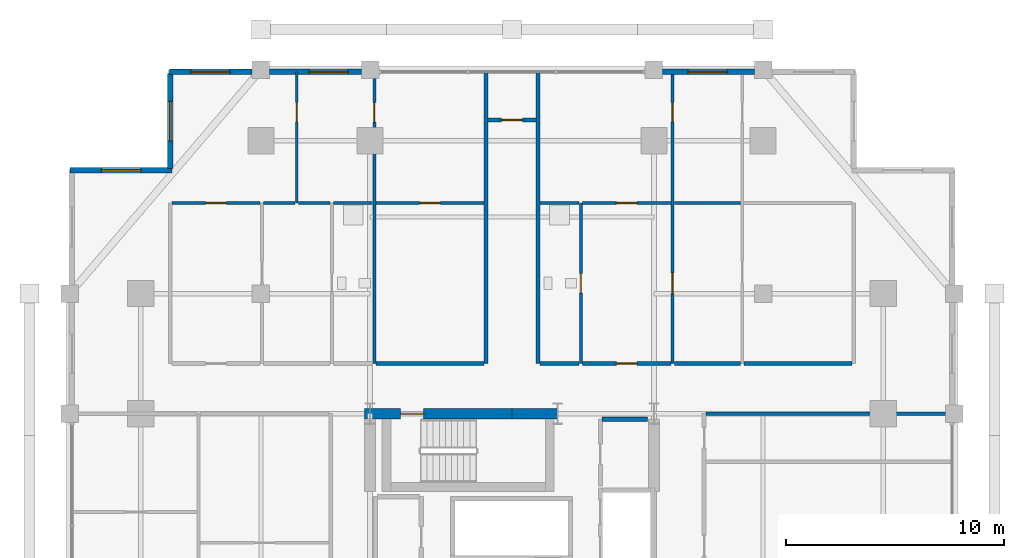
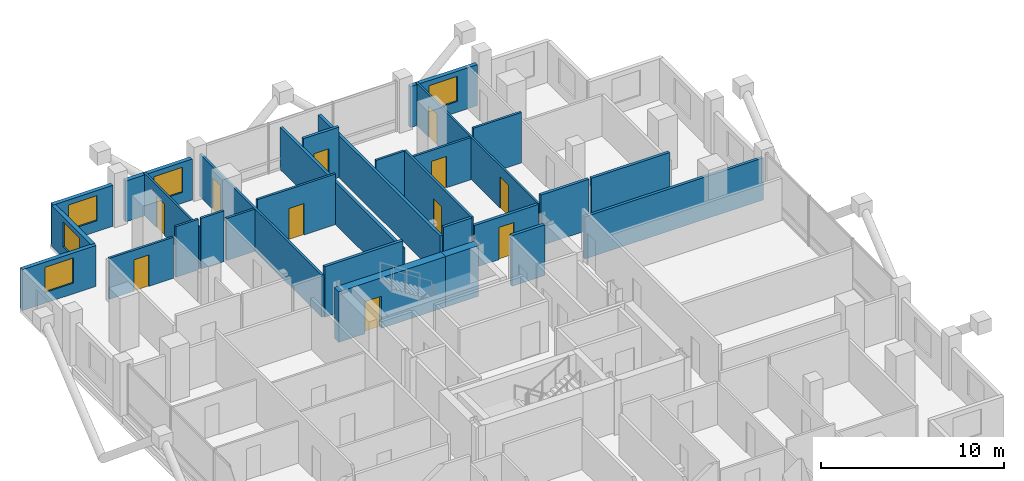
# One storey, part 20 of 23: 29 walls, 11 doors, 5 windows, 16 openings.
"""IFC4 building model written with IfcOpenShell, lengths in metres."""

from ifc_helpers import new_model, si_unit, direction, frame, frame_2d, origin, place, context, subcontext, project, spatial, rectangle, extrude, material, layer, layer_set, type_object, element, fill, save


model = new_model("IFC4")

# Units and contexts
model_context = context("Model", 3, precision=1e-05, world=origin(), true_north=direction((0.0, 1.0)))
body_context = subcontext(model_context, "Body", "Model", "MODEL_VIEW")
ifc_project = project(units=[si_unit("LENGTHUNIT", "METRE"), si_unit("AREAUNIT", "SQUARE_METRE"), si_unit("VOLUMEUNIT", "CUBIC_METRE"), si_unit("PLANEANGLEUNIT", "RADIAN"), si_unit("MASSUNIT", "GRAM", prefix="KILO")], contexts=[model_context])

# Site, building, storey
site_placement = place(None, origin())
site = spatial("IfcSite", under=ifc_project, at=site_placement, CompositionType="ELEMENT")
building_placement = place(site_placement, origin())
building = spatial("IfcBuilding", under=site, at=building_placement, Name="Barlavira Tower and Art Museum", CompositionType="ELEMENT")
storey_placement = place(building_placement, frame((0.0, 0.0, 140.39990234375)))
storey = spatial("IfcBuildingStorey", under=building, at=storey_placement, Name="L35", CompositionType="ELEMENT", Elevation=140.39990234375)

# Wall, opening, door
ifc_material_1 = material(Name="Gypsum acoustic stud partition", Category="gypsum")
ifc_layer_1 = layer(ifc_material_1, 0.1201171875, Name="Gypsum acoustic stud partition")
ifc_layer_set_1 = layer_set([ifc_layer_1], Name="Gypsum acoustic stud partition")
wall_type_1 = type_object("IfcWallType", Name="Apartment Internal Acoustic Partition 120", PredefinedType="PARTITIONING", material=ifc_layer_set_1)
wall_1_placement = place(storey_placement, frame((-9.85009765625, 17.14990234375, 0.0), z_axis=(0.0, 0.0, 1.0), x_axis=(0.0, 1.0, 0.0)))
wall_1 = element("IfcWall", 1, at=wall_1_placement, inside=storey, type_object=wall_type_1, Name="L35 Partition Wall 7", PredefinedType="PARTITIONING", context=body_context, shape_type="SweptSolid", body=[
    extrude(rectangle(XDim=6.0, YDim=0.1201171875, at=frame_2d((3.0, 0.0))), origin(), (0.0, 0.0, 1.0), 2.816162109375),
])
opening_1_placement = place(wall_1_placement, frame((3.701171875, 0.0, 0.0)))
opening_1 = element("IfcOpeningElement", 2, at=opening_1_placement, cuts=wall_1, Name="Opening D-01", PredefinedType="OPENING", context=body_context, shape_type="SweptSolid", body=[
    extrude(rectangle(XDim=0.89990234375, YDim=2.10009765625, at=frame_2d((0.449951171875, 1.050048828125))), frame((0.0, 0.070068359375, 0.0), z_axis=(0.0, -1.0, 0.0), x_axis=(1.0, 0.0, 0.0)), (0.0, 0.0, 1.0), 0.14013671875),
])
ifc_material_2 = material(Name="Engineered coastal hardwood", Category="wood")
door_type_1 = type_object("IfcDoorType", Name="Internal Bedroom Timber Flush Door 900x2100", OperationType="NOTDEFINED", PredefinedType="DOOR", material=ifc_material_2)
door_1_placement = place(opening_1_placement, origin())
door_1 = element("IfcDoor", 3, at=door_1_placement, inside=storey, type_object=door_type_1, Name="Apartment NW1 Bedroom 1 Door", OperationType="SINGLE_SWING_RIGHT", OverallHeight=2.10009765625, OverallWidth=0.89990234375, PredefinedType="DOOR", context=body_context, shape_type="SweptSolid", body=[
    extrude(rectangle(XDim=0.89990234375, YDim=2.10009765625, at=frame_2d((0.449951171875, 1.050048828125))), frame((0.0, 0.02490234375, 0.0), z_axis=(0.0, -1.0, 0.0), x_axis=(1.0, 0.0, 0.0)), (0.0, 0.0, 1.0), 0.050048828125),
])
fill(opening_1, door_1)

# Wall, openings, doors
wall_2_placement = place(storey_placement, frame((7.35009765625, 9.800048828125, 0.0), z_axis=(0.0, 0.0, 1.0), x_axis=(0.0, 1.0, 0.0)))
wall_2 = element("IfcWall", 4, at=wall_2_placement, inside=storey, type_object=wall_type_1, Name="L35 Partition Wall 23", PredefinedType="PARTITIONING", context=body_context, shape_type="SweptSolid", body=[
    extrude(rectangle(XDim=13.349853515625, YDim=0.1201171875, at=frame_2d((6.6748046875, 0.0))), origin(), (0.0, 0.0, 1.0), 2.816162109375),
])
opening_2_placement = place(wall_2_placement, frame((3.195068359375, 0.0, 0.0)))
opening_2 = element("IfcOpeningElement", 5, at=opening_2_placement, cuts=wall_2, Name="Opening D-02", PredefinedType="OPENING", context=body_context, shape_type="SweptSolid", body=[
    extrude(rectangle(XDim=0.949951171875, YDim=2.10009765625, at=frame_2d((0.47509765625, 1.050048828125))), frame((0.0, 0.070068359375, 0.0), z_axis=(0.0, -1.0, 0.0), x_axis=(1.0, 0.0, 0.0)), (0.0, 0.0, 1.0), 0.14013671875),
])
opening_3_placement = place(wall_2_placement, frame((11.051025390625, 0.0, 0.0)))
opening_3 = element("IfcOpeningElement", 6, at=opening_3_placement, cuts=wall_2, Name="Opening D-01", PredefinedType="OPENING", context=body_context, shape_type="SweptSolid", body=[
    extrude(rectangle(XDim=0.89990234375, YDim=2.10009765625, at=frame_2d((0.449951171875, 1.050048828125))), frame((0.0, 0.070068359375, 0.0), z_axis=(0.0, -1.0, 0.0), x_axis=(1.0, 0.0, 0.0)), (0.0, 0.0, 1.0), 0.14013671875),
])
door_2_placement = place(opening_3_placement, origin())
door_2 = element("IfcDoor", 7, at=door_2_placement, inside=storey, type_object=door_type_1, Name="Apartment NE1 Bedroom 1 Door", OperationType="SINGLE_SWING_LEFT", OverallHeight=2.10009765625, OverallWidth=0.89990234375, PredefinedType="DOOR", context=body_context, shape_type="SweptSolid", body=[
    extrude(rectangle(XDim=0.89990234375, YDim=2.10009765625, at=frame_2d((0.449951171875, 1.050048828125))), frame((0.0, 0.02490234375, 0.0), z_axis=(0.0, -1.0, 0.0), x_axis=(1.0, 0.0, 0.0)), (0.0, 0.0, 1.0), 0.050048828125),
])
fill(opening_3, door_2)
door_type_2 = type_object("IfcDoorType", Name="Living and Salon Glazed-Leaf Door 950x2100", OperationType="NOTDEFINED", PredefinedType="DOOR", material=ifc_material_2)
door_3_placement = place(opening_2_placement, origin())
door_3 = element("IfcDoor", 8, at=door_3_placement, inside=storey, type_object=door_type_2, Name="Apartment NE1 Kitchen Door", OperationType="SINGLE_SWING_RIGHT", OverallHeight=2.10009765625, OverallWidth=0.949951171875, PredefinedType="DOOR", context=body_context, shape_type="SweptSolid", body=[
    extrude(rectangle(XDim=0.949951171875, YDim=2.10009765625, at=frame_2d((0.47509765625, 1.050048828125))), frame((0.0, 0.02490234375, 0.0), z_axis=(0.0, -1.0, 0.0), x_axis=(1.0, 0.0, 0.0)), (0.0, 0.0, 1.0), 0.050048828125),
])
fill(opening_2, door_3)

# Wall, opening, door
ifc_material_3 = material(Name="Concrete C60", Category="concrete")
ifc_layer_2 = layer(ifc_material_3, 0.5, Name="Concrete C60")
ifc_layer_set_2 = layer_set([ifc_layer_2], Name="Concrete C60")
wall_type_2 = type_object("IfcWallType", Name="Core Structural Shear Wall 500 Concrete C60", PredefinedType="SHEAR", material=ifc_layer_set_2)
wall_3_placement = place(storey_placement, frame((-6.75, 7.5, 0.0), z_axis=(0.0, 0.0, 1.0), x_axis=(1.0, 0.0, 0.0)))
wall_3 = element("IfcWall", 9, at=wall_3_placement, inside=storey, type_object=wall_type_2, Name="L35 Core Shear Wall CS-NW", PredefinedType="SHEAR", context=body_context, shape_type="SweptSolid", body=[
    extrude(rectangle(XDim=6.75, YDim=0.5, at=frame_2d((3.375, 0.0))), origin(), (0.0, 0.0, 1.0), 3.380126953125),
])
opening_4_placement = place(wall_3_placement, frame((1.64990234375, 0.0, 0.0)))
opening_4 = element("IfcOpeningElement", 10, at=opening_4_placement, cuts=wall_3, Name="Opening FD-90", PredefinedType="OPENING", context=body_context, shape_type="SweptSolid", body=[
    extrude(rectangle(XDim=1.050048828125, YDim=2.14990234375, at=frame_2d((0.52490234375, 1.074951171875))), frame((0.0, 0.260009765625, 0.0), z_axis=(0.0, -1.0, 0.0), x_axis=(1.0, 0.0, 0.0)), (0.0, 0.0, 1.0), 0.52001953125),
])
ifc_material_4 = material(Name="Brushed stainless steel", Category="steel")
door_type_3 = type_object("IfcDoorType", Name="Stair and Refuge Fire Door 1050x2150 FD90S", OperationType="NOTDEFINED", PredefinedType="DOOR", material=ifc_material_4)
door_4_placement = place(opening_4_placement, origin())
door_4 = element("IfcDoor", 11, at=door_4_placement, inside=storey, type_object=door_type_3, Name="L35 Stair ST-T2 Fire Door", OperationType="SINGLE_SWING_LEFT", OverallHeight=2.14990234375, OverallWidth=1.050048828125, PredefinedType="DOOR", context=body_context, shape_type="SweptSolid", body=[
    extrude(rectangle(XDim=1.050048828125, YDim=2.14990234375, at=frame_2d((0.52490234375, 1.074951171875))), frame((0.0, 0.02490234375, 0.0), z_axis=(0.0, -1.0, 0.0), x_axis=(1.0, 0.0, 0.0)), (0.0, 0.0, 1.0), 0.050048828125),
])
fill(opening_4, door_4)

# Walls
wall_4_placement = place(storey_placement, frame((0.0, 7.5, 0.0), z_axis=(0.0, 0.0, 1.0), x_axis=(1.0, 0.0, 0.0)))
element("IfcWall", 12, at=wall_4_placement, inside=storey, type_object=wall_type_2, Name="L35 Core Shear Wall CS-EN", PredefinedType="SHEAR", context=body_context, shape_type="SweptSolid", body=[
    extrude(rectangle(XDim=2.080078125, YDim=0.5, at=frame_2d((1.0400390625, 0.0))), origin(), (0.0, 0.0, 1.0), 3.380126953125),
])
ifc_material_5 = material(Name="Autoclaved aerated concrete masonry", Category="masonry")
ifc_layer_3 = layer(ifc_material_5, 0.199951171875, Name="Autoclaved aerated concrete masonry")
ifc_layer_set_3 = layer_set([ifc_layer_3], Name="Autoclaved aerated concrete masonry")
wall_type_3 = type_object("IfcWallType", Name="Fire Compartment and Shaft Wall 200", PredefinedType="SOLIDWALL", material=ifc_layer_set_3)
wall_5_placement = place(storey_placement, frame((4.1298828125, 7.25, 0.0), z_axis=(0.0, 0.0, 1.0), x_axis=(1.0, 0.0, 0.0)))
element("IfcWall", 13, at=wall_5_placement, inside=storey, type_object=wall_type_3, Name="L35 Partition Wall 60", PredefinedType="SOLIDWALL", context=body_context, shape_type="SweptSolid", body=[
    extrude(rectangle(XDim=2.070068359375, YDim=0.199951171875, at=frame_2d((1.03515625, 0.0))), origin(), (0.0, 0.0, 1.0), 3.380126953125),
])
ifc_layer_4 = layer(ifc_material_1, 0.179931640625, Name="Gypsum acoustic stud partition")
ifc_layer_set_4 = layer_set([ifc_layer_4], Name="Gypsum acoustic stud partition")
wall_type_4 = type_object("IfcWallType", Name="Inter-Tenancy Party Partition Wall 180", PredefinedType="PARTITIONING", material=ifc_layer_set_4)
for number, where, z_axis, x_axis, name in (
    (14, (-1.199951171875, 9.800048828125, 0.0), (0.0, 0.0, 1.0), (0.0, 1.0, 0.0), "L35 Partition Wall 16"),
    (15, (1.199951171875, 9.800048828125, 0.0), (0.0, 0.0, 1.0), (0.0, 1.0, 0.0), "L35 Partition Wall 18"),
):
    element("IfcWall", number, at=place(storey_placement, frame(where, z_axis=z_axis, x_axis=x_axis)), inside=storey, type_object=wall_type_4, Name=name, PredefinedType="PARTITIONING", context=body_context, shape_type="SweptSolid", body=[
        extrude(rectangle(XDim=13.349853515625, YDim=0.179931640625, at=frame_2d((6.6748046875, 0.0))), origin(), (0.0, 0.0, 1.0), 2.816162109375),
    ])
wall_6_placement = place(storey_placement, frame((8.8798828125, 7.5, 0.0), z_axis=(0.0, 0.0, 1.0), x_axis=(1.0, 0.0, 0.0)))
element("IfcWall", 16, at=wall_6_placement, inside=storey, type_object=wall_type_4, Name="L35 Partition Wall 63", PredefinedType="PARTITIONING", context=body_context, shape_type="SweptSolid", body=[
    extrude(rectangle(XDim=11.27001953125, YDim=0.179931640625, at=frame_2d((5.635009765625, 0.0))), origin(), (0.0, 0.0, 1.0), 2.816162109375),
])
wall_7_placement = place(storey_placement, frame((-6.219970703125, 9.800048828125, 0.0), z_axis=(0.0, 0.0, 1.0), x_axis=(1.0, 0.0, 0.0)))
element("IfcWall", 17, at=wall_7_placement, inside=storey, type_object=wall_type_4, Name="L35 Partition Wall 67", PredefinedType="PARTITIONING", context=body_context, shape_type="SweptSolid", body=[
    extrude(rectangle(XDim=4.93994140625, YDim=0.179931640625, at=frame_2d((2.469970703125, 0.0))), origin(), (0.0, 0.0, 1.0), 3.380126953125),
])
wall_8_placement = place(storey_placement, frame((1.280029296875, 9.800048828125, 0.0), z_axis=(0.0, 0.0, 1.0), x_axis=(1.0, 0.0, 0.0)))
element("IfcWall", 18, at=wall_8_placement, inside=storey, type_object=wall_type_4, Name="L35 Partition Wall 68", PredefinedType="PARTITIONING", context=body_context, shape_type="SweptSolid", body=[
    extrude(rectangle(XDim=1.7900390625, YDim=0.179931640625, at=frame_2d((0.89501953125, 0.0))), origin(), (0.0, 0.0, 1.0), 3.380126953125),
])

# Wall, opening, door
wall_9_placement = place(storey_placement, frame((3.22998046875, 9.800048828125, 0.0), z_axis=(0.0, 0.0, 1.0), x_axis=(1.0, 0.0, 0.0)))
wall_9 = element("IfcWall", 19, at=wall_9_placement, inside=storey, type_object=wall_type_4, Name="L35 Partition Wall 69", PredefinedType="PARTITIONING", context=body_context, shape_type="SweptSolid", body=[
    extrude(rectangle(XDim=4.0400390625, YDim=0.179931640625, at=frame_2d((2.02001953125, 0.0))), origin(), (0.0, 0.0, 1.0), 2.816162109375),
])
opening_5_placement = place(wall_9_placement, frame((1.544921875, 0.0, 0.0)))
opening_5 = element("IfcOpeningElement", 20, at=opening_5_placement, cuts=wall_9, Name="Opening FD-60", PredefinedType="OPENING", context=body_context, shape_type="SweptSolid", body=[
    extrude(rectangle(XDim=0.949951171875, YDim=2.14990234375, at=frame_2d((0.47509765625, 1.074951171875))), frame((0.0, 0.10009765625, 0.0), z_axis=(0.0, -1.0, 0.0), x_axis=(1.0, 0.0, 0.0)), (0.0, 0.0, 1.0), 0.199951171875),
])
door_type_4 = type_object("IfcDoorType", Name="Apartment Entrance and Riser Fire Door 950x2150 FD60S", OperationType="NOTDEFINED", PredefinedType="DOOR", material=ifc_material_4)
door_5_placement = place(opening_5_placement, origin())
door_5 = element("IfcDoor", 21, at=door_5_placement, inside=storey, type_object=door_type_4, Name="Apartment Entrance Hall NE1 Door", OperationType="SINGLE_SWING_LEFT", OverallHeight=2.14990234375, OverallWidth=0.949951171875, PredefinedType="DOOR", context=body_context, shape_type="SweptSolid", body=[
    extrude(rectangle(XDim=0.949951171875, YDim=2.14990234375, at=frame_2d((0.47509765625, 1.074951171875))), frame((0.0, 0.02490234375, 0.0), z_axis=(0.0, -1.0, 0.0), x_axis=(1.0, 0.0, 0.0)), (0.0, 0.0, 1.0), 0.050048828125),
])
fill(opening_5, door_5)

# Walls
wall_10_placement = place(storey_placement, frame((7.429931640625, 9.800048828125, 0.0), z_axis=(0.0, 0.0, 1.0), x_axis=(1.0, 0.0, 0.0)))
element("IfcWall", 22, at=wall_10_placement, inside=storey, type_object=wall_type_4, Name="L35 Partition Wall 70", PredefinedType="PARTITIONING", context=body_context, shape_type="SweptSolid", body=[
    extrude(rectangle(XDim=3.0400390625, YDim=0.179931640625, at=frame_2d((1.52001953125, 0.0))), origin(), (0.0, 0.0, 1.0), 3.380126953125),
])
wall_11_placement = place(storey_placement, frame((10.6298828125, 9.800048828125, 0.0), z_axis=(0.0, 0.0, 1.0), x_axis=(1.0, 0.0, 0.0)))
element("IfcWall", 23, at=wall_11_placement, inside=storey, type_object=wall_type_4, Name="L35 Partition Wall 71", PredefinedType="PARTITIONING", context=body_context, shape_type="SweptSolid", body=[
    extrude(rectangle(XDim=4.940185546875, YDim=0.179931640625, at=frame_2d((2.47021484375, 0.0))), origin(), (0.0, 0.0, 1.0), 3.380126953125),
])

# Wall, opening, door
wall_12_placement = place(storey_placement, frame((-1.1201171875, 20.949951171875, 0.0), z_axis=(0.0, 0.0, 1.0), x_axis=(1.0, 0.0, 0.0)))
wall_12 = element("IfcWall", 24, at=wall_12_placement, inside=storey, type_object=wall_type_4, Name="L35 Partition Wall 81", PredefinedType="PARTITIONING", context=body_context, shape_type="SweptSolid", body=[
    extrude(rectangle(XDim=2.240234375, YDim=0.179931640625, at=frame_2d((1.1201171875, 0.0))), origin(), (0.0, 0.0, 1.0), 3.380126953125),
])
opening_6_placement = place(wall_12_placement, frame((0.64501953125, 0.0, 0.0)))
opening_6 = element("IfcOpeningElement", 25, at=opening_6_placement, cuts=wall_12, Name="Opening FD-60", PredefinedType="OPENING", context=body_context, shape_type="SweptSolid", body=[
    extrude(rectangle(XDim=0.949951171875, YDim=2.14990234375, at=frame_2d((0.47509765625, 1.074951171875))), frame((0.0, 0.10009765625, 0.0), z_axis=(0.0, -1.0, 0.0), x_axis=(1.0, 0.0, 0.0)), (0.0, 0.0, 1.0), 0.199951171875),
])
door_6_placement = place(opening_6_placement, origin())
door_6 = element("IfcDoor", 26, at=door_6_placement, inside=storey, type_object=door_type_4, Name="L35 North Ocean Alcove Door", OperationType="SINGLE_SWING_RIGHT", OverallHeight=2.14990234375, OverallWidth=0.949951171875, PredefinedType="DOOR", context=body_context, shape_type="SweptSolid", body=[
    extrude(rectangle(XDim=0.949951171875, YDim=2.14990234375, at=frame_2d((0.47509765625, 1.074951171875))), frame((0.0, 0.02490234375, 0.0), z_axis=(0.0, -1.0, 0.0), x_axis=(1.0, 0.0, 0.0)), (0.0, 0.0, 1.0), 0.050048828125),
])
fill(opening_6, door_6)

ifc_layer_5 = layer(ifc_material_1, 0.139892578125, Name="Gypsum acoustic stud partition")
ifc_layer_set_5 = layer_set([ifc_layer_5], Name="Gypsum acoustic stud partition")
wall_type_5 = type_object("IfcWallType", Name="Moisture-Resistant Bathroom Partition 140", PredefinedType="PARTITIONING", material=ifc_layer_set_5)
wall_13_placement = place(storey_placement, frame((-6.300048828125, 9.800048828125, 0.0), z_axis=(0.0, 0.0, 1.0), x_axis=(0.0, 1.0, 0.0)))
wall_13 = element("IfcWall", 27, at=wall_13_placement, inside=storey, type_object=wall_type_5, Name="L35 Partition Wall 12", PredefinedType="PARTITIONING", context=body_context, shape_type="SweptSolid", body=[
    extrude(rectangle(XDim=13.349853515625, YDim=0.139892578125, at=frame_2d((6.6748046875, 0.0))), origin(), (0.0, 0.0, 1.0), 2.816162109375),
])
opening_7_placement = place(wall_13_placement, frame((11.051025390625, 0.0, 0.0)))
opening_7 = element("IfcOpeningElement", 28, at=opening_7_placement, cuts=wall_13, Name="Opening D-01", PredefinedType="OPENING", context=body_context, shape_type="SweptSolid", body=[
    extrude(rectangle(XDim=0.89990234375, YDim=2.10009765625, at=frame_2d((0.449951171875, 1.050048828125))), frame((0.0, 0.080078125, 0.0), z_axis=(0.0, -1.0, 0.0), x_axis=(1.0, 0.0, 0.0)), (0.0, 0.0, 1.0), 0.159912109375),
])
door_7_placement = place(opening_7_placement, origin())
door_7 = element("IfcDoor", 29, at=door_7_placement, inside=storey, type_object=door_type_1, Name="Apartment NW1 Bedroom 2 Door", OperationType="SINGLE_SWING_LEFT", OverallHeight=2.10009765625, OverallWidth=0.89990234375, PredefinedType="DOOR", context=body_context, shape_type="SweptSolid", body=[
    extrude(rectangle(XDim=0.89990234375, YDim=2.10009765625, at=frame_2d((0.449951171875, 1.050048828125))), frame((0.0, 0.02490234375, 0.0), z_axis=(0.0, -1.0, 0.0), x_axis=(1.0, 0.0, 0.0)), (0.0, 0.0, 1.0), 0.050048828125),
])
fill(opening_7, door_7)

wall_14_placement = place(storey_placement, frame((3.14990234375, 9.800048828125, 0.0), z_axis=(0.0, 0.0, 1.0), x_axis=(0.0, 1.0, 0.0)))
wall_14 = element("IfcWall", 30, at=wall_14_placement, inside=storey, type_object=wall_type_5, Name="L35 Partition Wall 20", PredefinedType="PARTITIONING", context=body_context, shape_type="SweptSolid", body=[
    extrude(rectangle(XDim=7.349853515625, YDim=0.139892578125, at=frame_2d((3.6748046875, 0.0))), origin(), (0.0, 0.0, 1.0), 3.380126953125),
])
opening_8_placement = place(wall_14_placement, frame((3.219970703125, 0.0, 0.0)))
opening_8 = element("IfcOpeningElement", 31, at=opening_8_placement, cuts=wall_14, Name="Opening D-WC", PredefinedType="OPENING", context=body_context, shape_type="SweptSolid", body=[
    extrude(rectangle(XDim=0.89990234375, YDim=2.10009765625, at=frame_2d((0.449951171875, 1.050048828125))), frame((0.0, 0.080078125, 0.0), z_axis=(0.0, -1.0, 0.0), x_axis=(1.0, 0.0, 0.0)), (0.0, 0.0, 1.0), 0.159912109375),
])
door_type_5 = type_object("IfcDoorType", Name="Accessible Bathroom Flush Door 900x2100", OperationType="NOTDEFINED", PredefinedType="DOOR", material=ifc_material_2)
door_8_placement = place(opening_8_placement, origin())
door_8 = element("IfcDoor", 32, at=door_8_placement, inside=storey, type_object=door_type_5, Name="Apartment NE1 Hall Bathroom Door", OperationType="SINGLE_SWING_RIGHT", OverallHeight=2.10009765625, OverallWidth=0.89990234375, PredefinedType="DOOR", context=body_context, shape_type="SweptSolid", body=[
    extrude(rectangle(XDim=0.89990234375, YDim=2.10009765625, at=frame_2d((0.449951171875, 1.050048828125))), frame((0.0, 0.02490234375, 0.0), z_axis=(0.0, -1.0, 0.0), x_axis=(1.0, 0.0, 0.0)), (0.0, 0.0, 1.0), 0.050048828125),
])
fill(opening_8, door_8)

wall_15_placement = place(storey_placement, frame((-15.570068359375, 17.14990234375, 0.0), z_axis=(0.0, 0.0, 1.0), x_axis=(1.0, 0.0, 0.0)))
wall_15 = element("IfcWall", 33, at=wall_15_placement, inside=storey, type_object=wall_type_5, Name="L35 Partition Wall 72", PredefinedType="PARTITIONING", context=body_context, shape_type="SweptSolid", body=[
    extrude(rectangle(XDim=4.0400390625, YDim=0.139892578125, at=frame_2d((2.02001953125, 0.0))), origin(), (0.0, 0.0, 1.0), 2.736083984375),
])
opening_9_placement = place(wall_15_placement, frame((1.544921875, 0.0, 0.0)))
opening_9 = element("IfcOpeningElement", 34, at=opening_9_placement, cuts=wall_15, Name="Opening D-02", PredefinedType="OPENING", context=body_context, shape_type="SweptSolid", body=[
    extrude(rectangle(XDim=0.949951171875, YDim=2.10009765625, at=frame_2d((0.47509765625, 1.050048828125))), frame((0.0, 0.080078125, 0.0), z_axis=(0.0, -1.0, 0.0), x_axis=(1.0, 0.0, 0.0)), (0.0, 0.0, 1.0), 0.159912109375),
])
door_9_placement = place(opening_9_placement, origin())
door_9 = element("IfcDoor", 35, at=door_9_placement, inside=storey, type_object=door_type_2, Name="Apartment NW1 Living Lounge Door", OperationType="SINGLE_SWING_LEFT", OverallHeight=2.10009765625, OverallWidth=0.949951171875, PredefinedType="DOOR", context=body_context, shape_type="SweptSolid", body=[
    extrude(rectangle(XDim=0.949951171875, YDim=2.10009765625, at=frame_2d((0.47509765625, 1.050048828125))), frame((0.0, 0.02490234375, 0.0), z_axis=(0.0, -1.0, 0.0), x_axis=(1.0, 0.0, 0.0)), (0.0, 0.0, 1.0), 0.050048828125),
])
fill(opening_9, door_9)

# Walls
wall_16_placement = place(storey_placement, frame((-11.3701171875, 17.14990234375, 0.0), z_axis=(0.0, 0.0, 1.0), x_axis=(1.0, 0.0, 0.0)))
element("IfcWall", 36, at=wall_16_placement, inside=storey, type_object=wall_type_5, Name="L35 Partition Wall 73", PredefinedType="PARTITIONING", context=body_context, shape_type="SweptSolid", body=[
    extrude(rectangle(XDim=1.440185546875, YDim=0.139892578125, at=frame_2d((0.72021484375, 0.0))), origin(), (0.0, 0.0, 1.0), 3.380126953125),
])
wall_17_placement = place(storey_placement, frame((-9.77001953125, 17.14990234375, 0.0), z_axis=(0.0, 0.0, 1.0), x_axis=(1.0, 0.0, 0.0)))
element("IfcWall", 37, at=wall_17_placement, inside=storey, type_object=wall_type_5, Name="L35 Partition Wall 74", PredefinedType="PARTITIONING", context=body_context, shape_type="SweptSolid", body=[
    extrude(rectangle(XDim=1.43994140625, YDim=0.139892578125, at=frame_2d((0.719970703125, 0.0))), origin(), (0.0, 0.0, 1.0), 3.380126953125),
])
wall_18_placement = place(storey_placement, frame((-8.169921875, 17.14990234375, 0.0), z_axis=(0.0, 0.0, 1.0), x_axis=(1.0, 0.0, 0.0)))
element("IfcWall", 38, at=wall_18_placement, inside=storey, type_object=wall_type_5, Name="L35 Partition Wall 75", PredefinedType="PARTITIONING", context=body_context, shape_type="SweptSolid", body=[
    extrude(rectangle(XDim=1.7900390625, YDim=0.139892578125, at=frame_2d((0.89501953125, 0.0))), origin(), (0.0, 0.0, 1.0), 2.816162109375),
])

# Wall, opening, door
wall_19_placement = place(storey_placement, frame((-6.219970703125, 17.14990234375, 0.0), z_axis=(0.0, 0.0, 1.0), x_axis=(1.0, 0.0, 0.0)))
wall_19 = element("IfcWall", 39, at=wall_19_placement, inside=storey, type_object=wall_type_5, Name="L35 Partition Wall 76", PredefinedType="PARTITIONING", context=body_context, shape_type="SweptSolid", body=[
    extrude(rectangle(XDim=4.93994140625, YDim=0.139892578125, at=frame_2d((2.469970703125, 0.0))), origin(), (0.0, 0.0, 1.0), 3.380126953125),
])
opening_10_placement = place(wall_19_placement, frame((1.9951171875, 0.0, 0.0)))
opening_10 = element("IfcOpeningElement", 40, at=opening_10_placement, cuts=wall_19, Name="Opening D-02", PredefinedType="OPENING", context=body_context, shape_type="SweptSolid", body=[
    extrude(rectangle(XDim=0.949951171875, YDim=2.10009765625, at=frame_2d((0.47509765625, 1.050048828125))), frame((0.0, 0.080078125, 0.0), z_axis=(0.0, -1.0, 0.0), x_axis=(1.0, 0.0, 0.0)), (0.0, 0.0, 1.0), 0.159912109375),
])
door_10_placement = place(opening_10_placement, origin())
door_10 = element("IfcDoor", 41, at=door_10_placement, inside=storey, type_object=door_type_2, Name="Apartment NW1 Dining Salon Door", OperationType="SINGLE_SWING_RIGHT", OverallHeight=2.10009765625, OverallWidth=0.949951171875, PredefinedType="DOOR", context=body_context, shape_type="SweptSolid", body=[
    extrude(rectangle(XDim=0.949951171875, YDim=2.10009765625, at=frame_2d((0.47509765625, 1.050048828125))), frame((0.0, 0.02490234375, 0.0), z_axis=(0.0, -1.0, 0.0), x_axis=(1.0, 0.0, 0.0)), (0.0, 0.0, 1.0), 0.050048828125),
])
fill(opening_10, door_10)

# Wall
wall_20_placement = place(storey_placement, frame((1.280029296875, 17.14990234375, 0.0), z_axis=(0.0, 0.0, 1.0), x_axis=(1.0, 0.0, 0.0)))
element("IfcWall", 42, at=wall_20_placement, inside=storey, type_object=wall_type_5, Name="L35 Partition Wall 77", PredefinedType="PARTITIONING", context=body_context, shape_type="SweptSolid", body=[
    extrude(rectangle(XDim=1.7900390625, YDim=0.139892578125, at=frame_2d((0.89501953125, 0.0))), origin(), (0.0, 0.0, 1.0), 3.380126953125),
])

# Wall, opening, door
wall_21_placement = place(storey_placement, frame((3.22998046875, 17.14990234375, 0.0), z_axis=(0.0, 0.0, 1.0), x_axis=(1.0, 0.0, 0.0)))
wall_21 = element("IfcWall", 43, at=wall_21_placement, inside=storey, type_object=wall_type_5, Name="L35 Partition Wall 78", PredefinedType="PARTITIONING", context=body_context, shape_type="SweptSolid", body=[
    extrude(rectangle(XDim=4.0400390625, YDim=0.139892578125, at=frame_2d((2.02001953125, 0.0))), origin(), (0.0, 0.0, 1.0), 2.816162109375),
])
opening_11_placement = place(wall_21_placement, frame((1.544921875, 0.0, 0.0)))
opening_11 = element("IfcOpeningElement", 44, at=opening_11_placement, cuts=wall_21, Name="Opening D-02", PredefinedType="OPENING", context=body_context, shape_type="SweptSolid", body=[
    extrude(rectangle(XDim=0.949951171875, YDim=2.10009765625, at=frame_2d((0.47509765625, 1.050048828125))), frame((0.0, 0.080078125, 0.0), z_axis=(0.0, -1.0, 0.0), x_axis=(1.0, 0.0, 0.0)), (0.0, 0.0, 1.0), 0.159912109375),
])
door_11_placement = place(opening_11_placement, origin())
door_11 = element("IfcDoor", 45, at=door_11_placement, inside=storey, type_object=door_type_2, Name="Apartment NE1 Living Lounge Door", OperationType="SINGLE_SWING_RIGHT", OverallHeight=2.10009765625, OverallWidth=0.949951171875, PredefinedType="DOOR", context=body_context, shape_type="SweptSolid", body=[
    extrude(rectangle(XDim=0.949951171875, YDim=2.10009765625, at=frame_2d((0.47509765625, 1.050048828125))), frame((0.0, 0.02490234375, 0.0), z_axis=(0.0, -1.0, 0.0), x_axis=(1.0, 0.0, 0.0)), (0.0, 0.0, 1.0), 0.050048828125),
])
fill(opening_11, door_11)

# Wall
wall_22_placement = place(storey_placement, frame((7.429931640625, 17.14990234375, 0.0), z_axis=(0.0, 0.0, 1.0), x_axis=(1.0, 0.0, 0.0)))
element("IfcWall", 46, at=wall_22_placement, inside=storey, type_object=wall_type_5, Name="L35 Partition Wall 79", PredefinedType="PARTITIONING", context=body_context, shape_type="SweptSolid", body=[
    extrude(rectangle(XDim=3.0400390625, YDim=0.139892578125, at=frame_2d((1.52001953125, 0.0))), origin(), (0.0, 0.0, 1.0), 3.380126953125),
])

# Wall, opening, window
ifc_material_6 = material(Name="Precast concrete C40", Category="concrete")
ifc_layer_6 = layer(ifc_material_6, 0.25, Name="Precast concrete C40")
ifc_layer_set_6 = layer_set([ifc_layer_6], Name="Precast concrete C40")
wall_type_6 = type_object("IfcWallType", Name="Notched Corner Spandrel Wall 250 Precast Concrete C40", PredefinedType="SOLIDWALL", material=ifc_layer_set_6)
wall_23_placement = place(storey_placement, frame((11.10498046875, 23.14990234375, 0.0), z_axis=(0.0, 0.0, 1.0), x_axis=(-1.0, 0.0, 0.0)))
wall_23 = element("IfcWall", 47, at=wall_23_placement, inside=storey, type_object=wall_type_6, Name="L35 Coastal Facade Pier Wall CW2-L35-N-2", PredefinedType="SOLIDWALL", context=body_context, shape_type="SweptSolid", body=[
    extrude(rectangle(XDim=4.2099609375, YDim=0.25, at=frame_2d((2.10498046875, 0.0))), origin(), (0.0, 0.0, 1.0), 2.736083984375),
])
opening_12_placement = place(wall_23_placement, frame((1.2548828125, 0.0, 0.719970703125)))
opening_12 = element("IfcOpeningElement", 48, at=opening_12_placement, cuts=wall_23, Name="Opening WN-01", PredefinedType="OPENING", context=body_context, shape_type="SweptSolid", body=[
    extrude(rectangle(XDim=1.800048828125, YDim=1.679931640625, at=frame_2d((0.89990234375, 0.83984375))), frame((0.0, 0.135009765625, 0.0), z_axis=(0.0, -1.0, 0.0), x_axis=(1.0, 0.0, 0.0)), (0.0, 0.0, 1.0), 0.27001953125),
])
ifc_material_7 = material(Name="Low-iron coastal laminated glass", Category="glass")
window_type = type_object("IfcWindowType", Name="Recessed Notch Corner Punch Window 1800x1680", PartitioningType="SINGLE_PANEL", PredefinedType="WINDOW", material=ifc_material_7)
window_1_placement = place(opening_12_placement, origin())
window_1 = element("IfcWindow", 49, at=window_1_placement, inside=storey, type_object=window_type, Name="L35 Punched Facade Window EWP-CW2-L35-N-2-1", OverallHeight=1.679931640625, OverallWidth=1.800048828125, PartitioningType="SINGLE_PANEL", PredefinedType="WINDOW", context=body_context, shape_type="SweptSolid", body=[
    extrude(rectangle(XDim=1.800048828125, YDim=1.679931640625, at=frame_2d((0.89990234375, 0.83984375))), frame((0.0, 0.030029296875, 0.0), z_axis=(0.0, -1.0, 0.0), x_axis=(1.0, 0.0, 0.0)), (0.0, 0.0, 1.0), 0.06005859375),
])
fill(opening_12, window_1)

wall_24_placement = place(storey_placement, frame((-6.89501953125, 23.14990234375, 0.0), z_axis=(0.0, 0.0, 1.0), x_axis=(-1.0, 0.0, 0.0)))
wall_24 = element("IfcWall", 50, at=wall_24_placement, inside=storey, type_object=wall_type_6, Name="L35 Coastal Facade Pier Wall CW2-L35-N-4", PredefinedType="SOLIDWALL", context=body_context, shape_type="SweptSolid", body=[
    extrude(rectangle(XDim=4.2099609375, YDim=0.25, at=frame_2d((2.10498046875, 0.0))), origin(), (0.0, 0.0, 1.0), 2.736083984375),
])
opening_13_placement = place(wall_24_placement, frame((0.610107421875, 0.0, 0.719970703125)))
opening_13 = element("IfcOpeningElement", 51, at=opening_13_placement, cuts=wall_24, Name="Opening WN-01", PredefinedType="OPENING", context=body_context, shape_type="SweptSolid", body=[
    extrude(rectangle(XDim=1.800048828125, YDim=1.679931640625, at=frame_2d((0.89990234375, 0.83984375))), frame((0.0, 0.135009765625, 0.0), z_axis=(0.0, -1.0, 0.0), x_axis=(1.0, 0.0, 0.0)), (0.0, 0.0, 1.0), 0.27001953125),
])
window_2_placement = place(opening_13_placement, origin())
window_2 = element("IfcWindow", 52, at=window_2_placement, inside=storey, type_object=window_type, Name="L35 Punched Facade Window EWP-CW2-L35-N-4-1", OverallHeight=1.679931640625, OverallWidth=1.800048828125, PartitioningType="SINGLE_PANEL", PredefinedType="WINDOW", context=body_context, shape_type="SweptSolid", body=[
    extrude(rectangle(XDim=1.800048828125, YDim=1.679931640625, at=frame_2d((0.89990234375, 0.83984375))), frame((0.0, 0.030029296875, 0.0), z_axis=(0.0, -1.0, 0.0), x_axis=(1.0, 0.0, 0.0)), (0.0, 0.0, 1.0), 0.06005859375),
])
fill(opening_13, window_2)

wall_25_placement = place(storey_placement, frame((-11.89501953125, 23.14990234375, 0.0), z_axis=(0.0, 0.0, 1.0), x_axis=(-1.0, 0.0, 0.0)))
wall_25 = element("IfcWall", 53, at=wall_25_placement, inside=storey, type_object=wall_type_6, Name="L35 Coastal Facade Pier Wall CW2-L35-N-5", PredefinedType="SOLIDWALL", context=body_context, shape_type="SweptSolid", body=[
    extrude(rectangle(XDim=3.780029296875, YDim=0.25, at=frame_2d((1.89013671875, 0.0))), origin(), (0.0, 0.0, 1.0), 2.736083984375),
])
opening_14_placement = place(wall_25_placement, frame((1.012939453125, 0.0, 0.719970703125)))
opening_14 = element("IfcOpeningElement", 54, at=opening_14_placement, cuts=wall_25, Name="Opening WN-01", PredefinedType="OPENING", context=body_context, shape_type="SweptSolid", body=[
    extrude(rectangle(XDim=1.800048828125, YDim=1.679931640625, at=frame_2d((0.89990234375, 0.83984375))), frame((0.0, 0.135009765625, 0.0), z_axis=(0.0, -1.0, 0.0), x_axis=(1.0, 0.0, 0.0)), (0.0, 0.0, 1.0), 0.27001953125),
])
window_3_placement = place(opening_14_placement, origin())
window_3 = element("IfcWindow", 55, at=window_3_placement, inside=storey, type_object=window_type, Name="L35 Punched Facade Window EWP-CW2-L35-N-5-1", OverallHeight=1.679931640625, OverallWidth=1.800048828125, PartitioningType="SINGLE_PANEL", PredefinedType="WINDOW", context=body_context, shape_type="SweptSolid", body=[
    extrude(rectangle(XDim=1.800048828125, YDim=1.679931640625, at=frame_2d((0.89990234375, 0.83984375))), frame((0.0, 0.030029296875, 0.0), z_axis=(0.0, -1.0, 0.0), x_axis=(1.0, 0.0, 0.0)), (0.0, 0.0, 1.0), 0.06005859375),
])
fill(opening_14, window_3)

wall_26_placement = place(storey_placement, frame((-15.64990234375, 23.070068359375, 0.0), z_axis=(0.0, 0.0, 1.0), x_axis=(0.0, -1.0, 0.0)))
wall_26 = element("IfcWall", 56, at=wall_26_placement, inside=storey, type_object=wall_type_6, Name="L35 Notch Corner Wall NW1", PredefinedType="SOLIDWALL", context=body_context, shape_type="SweptSolid", body=[
    extrude(rectangle(XDim=4.340087890625, YDim=0.25, at=frame_2d((2.169921875, 0.0))), origin(), (0.0, 0.0, 1.0), 2.736083984375),
])
opening_15_placement = place(wall_26_placement, frame((1.27001953125, 0.0, 0.719970703125)))
opening_15 = element("IfcOpeningElement", 57, at=opening_15_placement, cuts=wall_26, Name="Opening WN-01", PredefinedType="OPENING", context=body_context, shape_type="SweptSolid", body=[
    extrude(rectangle(XDim=1.800048828125, YDim=1.679931640625, at=frame_2d((0.89990234375, 0.83984375))), frame((0.0, 0.135009765625, 0.0), z_axis=(0.0, -1.0, 0.0), x_axis=(1.0, 0.0, 0.0)), (0.0, 0.0, 1.0), 0.27001953125),
])
window_4_placement = place(opening_15_placement, origin())
window_4 = element("IfcWindow", 58, at=window_4_placement, inside=storey, type_object=window_type, Name="L35 Punched Facade Window EW-NTC-L35-NW1-1", OverallHeight=1.679931640625, OverallWidth=1.800048828125, PartitioningType="SINGLE_PANEL", PredefinedType="WINDOW", context=body_context, shape_type="SweptSolid", body=[
    extrude(rectangle(XDim=1.800048828125, YDim=1.679931640625, at=frame_2d((0.89990234375, 0.83984375))), frame((0.0, 0.030029296875, 0.0), z_axis=(0.0, -1.0, 0.0), x_axis=(1.0, 0.0, 0.0)), (0.0, 0.0, 1.0), 0.06005859375),
])
fill(opening_15, window_4)

wall_27_placement = place(storey_placement, frame((-15.570068359375, 18.64990234375, 0.0), z_axis=(0.0, 0.0, 1.0), x_axis=(-1.0, 0.0, 0.0)))
wall_27 = element("IfcWall", 59, at=wall_27_placement, inside=storey, type_object=wall_type_6, Name="L35 Notch Corner Wall NW2", PredefinedType="SOLIDWALL", context=body_context, shape_type="SweptSolid", body=[
    extrude(rectangle(XDim=4.659912109375, YDim=0.25, at=frame_2d((2.330078125, 0.0))), origin(), (0.0, 0.0, 1.0), 2.736083984375),
])
opening_16_placement = place(wall_27_placement, frame((1.429931640625, 0.0, 0.719970703125)))
opening_16 = element("IfcOpeningElement", 60, at=opening_16_placement, cuts=wall_27, Name="Opening WN-01", PredefinedType="OPENING", context=body_context, shape_type="SweptSolid", body=[
    extrude(rectangle(XDim=1.800048828125, YDim=1.679931640625, at=frame_2d((0.89990234375, 0.83984375))), frame((0.0, 0.135009765625, 0.0), z_axis=(0.0, -1.0, 0.0), x_axis=(1.0, 0.0, 0.0)), (0.0, 0.0, 1.0), 0.27001953125),
])
window_5_placement = place(opening_16_placement, origin())
window_5 = element("IfcWindow", 61, at=window_5_placement, inside=storey, type_object=window_type, Name="L35 Punched Facade Window EW-NTC-L35-NW2-1", OverallHeight=1.679931640625, OverallWidth=1.800048828125, PartitioningType="SINGLE_PANEL", PredefinedType="WINDOW", context=body_context, shape_type="SweptSolid", body=[
    extrude(rectangle(XDim=1.800048828125, YDim=1.679931640625, at=frame_2d((0.89990234375, 0.83984375))), frame((0.0, 0.030029296875, 0.0), z_axis=(0.0, -1.0, 0.0), x_axis=(1.0, 0.0, 0.0)), (0.0, 0.0, 1.0), 0.06005859375),
])
fill(opening_16, window_5)

save(model, "model.ifc")
